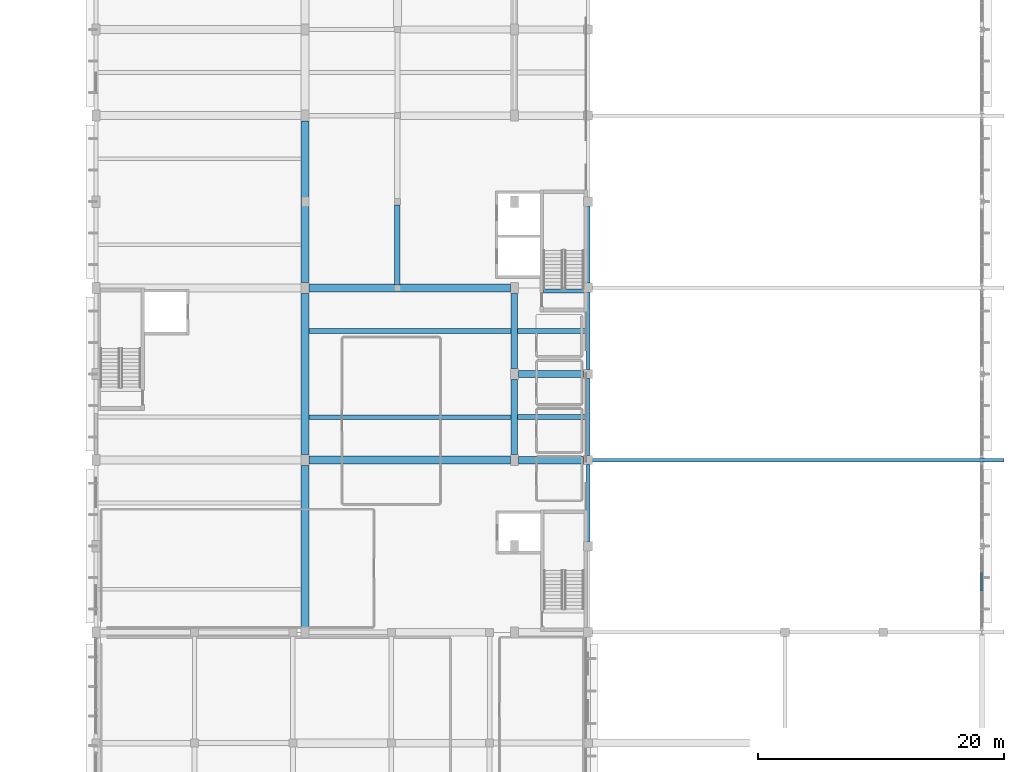
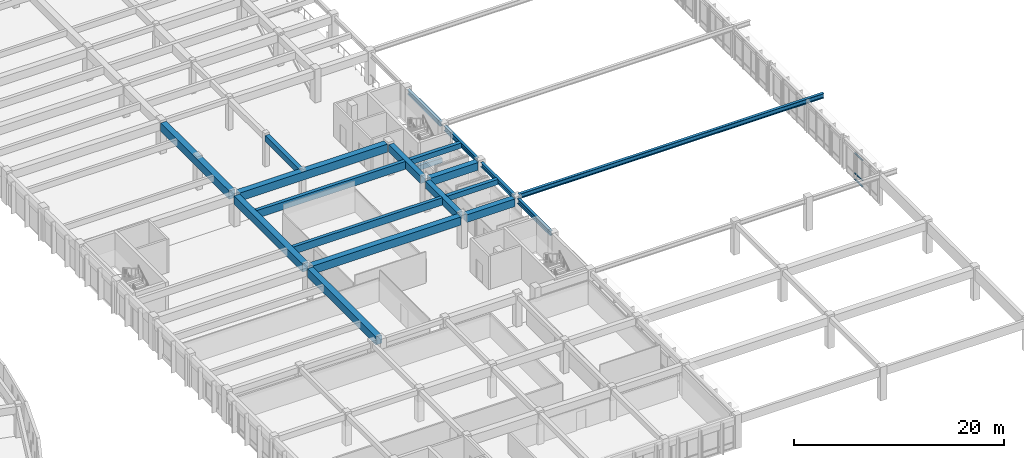
# One storey, part 30 of 98: 20 beams, 3 members, 1 element without a shape of its own.
"""IFC4 building model written with IfcOpenShell, lengths in metres."""

from ifc_helpers import new_model, si_unit, direction, frame, origin, origin_2d, place, context, subcontext, project, spatial, rectangle, i_section, extrude, material, material_profile, profile_set, type_object, element, aggregate, save


model = new_model("IFC4")

# Units and contexts
model_context = context("Model", 3, precision=1e-05, world=origin(), true_north=direction((0.0, 1.0)))
body_context = subcontext(model_context, "Body", "Model", "MODEL_VIEW")
ifc_project = project(units=[si_unit("LENGTHUNIT", "METRE"), si_unit("AREAUNIT", "SQUARE_METRE"), si_unit("VOLUMEUNIT", "CUBIC_METRE"), si_unit("PLANEANGLEUNIT", "RADIAN"), si_unit("MASSUNIT", "GRAM", prefix="KILO")], contexts=[model_context])

# Site, building, storey
site_placement = place(None, origin())
site = spatial("IfcSite", under=ifc_project, at=site_placement, CompositionType="ELEMENT")
building_placement = place(site_placement, origin())
building = spatial("IfcBuilding", under=site, at=building_placement, Name="Larkveld Mobility Hub", CompositionType="ELEMENT")
storey_placement = place(building_placement, frame((0.0, 0.0, 4.5)))
storey = spatial("IfcBuildingStorey", under=building, at=storey_placement, Name="L01", CompositionType="ELEMENT", Elevation=4.5)

# Beams
ifc_material_1 = material(Name="Precast concrete C50/60", Category="concrete")
ifc_material_profile_1 = material_profile(ifc_material_1, rectangle(XDim=0.360107421875, YDim=0.85009765625, at=origin_2d()), Name="PC DT 360x850")
ifc_profile_set_1 = profile_set([ifc_material_profile_1], Name="Precast concrete C50/60")
beam_type_1 = type_object("IfcBeamType", Name="BM-DT3685", PredefinedType="T_BEAM", material=ifc_profile_set_1)
beam_1_placement = place(storey_placement, frame((129.320068359375, 45.5, 3.2451171875), z_axis=(1.0, 0.0, 0.0), x_axis=(0.0, 1.0, 0.0)))
element("IfcBeam", 1, at=beam_1_placement, inside=storey, type_object=beam_type_1, Name="Precast Double-Tee Stem L01-1052", PredefinedType="T_BEAM", context=body_context, shape_type="SweptSolid", body=[
    extrude(rectangle(XDim=0.360107421875, YDim=0.85009765625, at=origin_2d()), origin(), (0.0, 0.0, 1.0), 16.409912109375),
])
ifc_material_profile_2 = material_profile(ifc_material_1, rectangle(XDim=0.3798828125, YDim=0.89990234375, at=origin_2d()), Name="PC DT 380x900")
ifc_profile_set_2 = profile_set([ifc_material_profile_2], Name="Precast concrete C50/60")
beam_type_2 = type_object("IfcBeamType", Name="BM-DT3890", PredefinedType="T_BEAM", material=ifc_profile_set_2)
beam_2_placement = place(storey_placement, frame((129.320068359375, 52.5, 3.219970703125), z_axis=(1.0, 0.0, 0.0), x_axis=(0.0, 1.0, 0.0)))
element("IfcBeam", 2, at=beam_2_placement, inside=storey, type_object=beam_type_2, Name="Precast Double-Tee Stem L01-1054", PredefinedType="T_BEAM", context=body_context, shape_type="SweptSolid", body=[
    extrude(rectangle(XDim=0.3798828125, YDim=0.89990234375, at=origin_2d()), origin(), (0.0, 0.0, 1.0), 16.409912109375),
])
ifc_material_profile_3 = material_profile(ifc_material_1, rectangle(XDim=0.64990234375, YDim=0.949951171875, at=origin_2d()), Name="PC ITB 650x950")
ifc_profile_set_3 = profile_set([ifc_material_profile_3], Name="Precast concrete C50/60")
beam_type_3 = type_object("IfcBeamType", Name="BM-ITB6595", PredefinedType="T_BEAM", material=ifc_profile_set_3)
for number, where, z_axis, x_axis, name in (
    (3, (129.324951171875, 42.0, 3.18505859375), (1.0, 0.0, 0.0), (0.0, 1.0, 0.0), "Primary E-W Girder L01-0269"),
    (4, (129.324951171875, 56.0, 3.18505859375), (1.0, 0.0, 0.0), (0.0, 1.0, 0.0), "Primary E-W Girder L01-0273"),
):
    element("IfcBeam", number, at=place(storey_placement, frame(where, z_axis=z_axis, x_axis=x_axis)), inside=storey, type_object=beam_type_3, Name=name, PredefinedType="T_BEAM", context=body_context, shape_type="SweptSolid", body=[
        extrude(rectangle(XDim=0.64990234375, YDim=0.949951171875, at=origin_2d()), origin(), (0.0, 0.0, 1.0), 16.35009765625),
    ])
for number, where, z_axis, x_axis, name in (
    (5, (129.0, 28.449951171875, 3.18505859375), (0.0, 1.0, 0.0), (-1.0, 0.0, 0.0), "Primary N-S Girder L01-0417"),
    (6, (129.0, 42.449951171875, 3.18505859375), (0.0, 1.0, 0.0), (-1.0, 0.0, 0.0), "Primary N-S Girder L01-0418"),
    (7, (129.0, 56.449951171875, 3.18505859375), (0.0, 1.0, 0.0), (-1.0, 0.0, 0.0), "Primary N-S Girder L01-0419"),
):
    element("IfcBeam", number, at=place(storey_placement, frame(where, z_axis=z_axis, x_axis=x_axis)), inside=storey, type_object=beam_type_3, Name=name, PredefinedType="T_BEAM", context=body_context, shape_type="SweptSolid", body=[
        extrude(rectangle(XDim=0.64990234375, YDim=0.949951171875, at=origin_2d()), origin(), (0.0, 0.0, 1.0), 13.10009765625),
    ])
ifc_material_2 = material(Name="Concrete C40/50", Category="concrete")
ifc_material_profile_4 = material_profile(ifc_material_2, rectangle(XDim=0.35009765625, YDim=0.550048828125, at=origin_2d()), Name="RC BM 350x550")
ifc_profile_set_4 = profile_set([ifc_material_profile_4], Name="Concrete C40/50")
beam_type_4 = type_object("IfcBeamType", Name="BM-RC3555", PredefinedType="BEAM", material=ifc_profile_set_4)
beam_3_placement = place(storey_placement, frame((148.360107421875, 55.75, -0.27001953125), z_axis=(1.0, 0.0, 0.0), x_axis=(0.0, 1.0, 0.0)))
element("IfcBeam", 8, at=beam_3_placement, inside=storey, type_object=beam_type_4, Name="Core C2 Stair Header Beam L01", PredefinedType="BEAM", context=body_context, shape_type="SweptSolid", body=[
    extrude(rectangle(XDim=0.35009765625, YDim=0.550048828125, at=origin_2d()), origin(), (0.0, 0.0, 1.0), 3.309814453125),
])
ifc_material_profile_5 = material_profile(ifc_material_2, rectangle(XDim=0.39990234375, YDim=0.60009765625, at=origin_2d()), Name="RC BM 400x600")
ifc_profile_set_5 = profile_set([ifc_material_profile_5], Name="Concrete C40/50")
beam_type_5 = type_object("IfcBeamType", Name="BM-RC4060", PredefinedType="BEAM", material=ifc_profile_set_5)
for number, where, z_axis, x_axis, name in (
    (9, (146.27001953125, 45.5, 3.3701171875), (1.0, 0.0, 0.0), (0.0, 1.0, 0.0), "Concourse Spine Joist L01-1053"),
    (10, (146.27001953125, 52.5, 3.3701171875), (1.0, 0.0, 0.0), (0.0, 1.0, 0.0), "Concourse Spine Joist L01-1055"),
):
    element("IfcBeam", number, at=place(storey_placement, frame(where, z_axis=z_axis, x_axis=x_axis)), inside=storey, type_object=beam_type_5, Name=name, PredefinedType="BEAM", context=body_context, shape_type="SweptSolid", body=[
        extrude(rectangle(XDim=0.39990234375, YDim=0.60009765625, at=origin_2d()), origin(), (0.0, 0.0, 1.0), 5.5849609375),
    ])
ifc_material_profile_6 = material_profile(ifc_material_2, rectangle(XDim=0.449951171875, YDim=0.699951171875, at=origin_2d()), Name="RC BM 450x700")
ifc_profile_set_6 = profile_set([ifc_material_profile_6], Name="Concrete C40/50")
beam_type_6 = type_object("IfcBeamType", Name="BM-RC4570", PredefinedType="BEAM", material=ifc_profile_set_6)
beam_4_placement = place(storey_placement, frame((136.5, 56.25, 3.31005859375), z_axis=(0.0, 1.0, 0.0), x_axis=(-1.0, 0.0, 0.0)))
element("IfcBeam", 11, at=beam_4_placement, inside=storey, type_object=beam_type_6, Name="Ramp Edge Girder L01-0483", PredefinedType="BEAM", context=body_context, shape_type="SweptSolid", body=[
    extrude(rectangle(XDim=0.449951171875, YDim=0.699951171875, at=origin_2d()), origin(), (0.0, 0.0, 1.0), 6.5),
])
ifc_material_profile_7 = material_profile(ifc_material_2, rectangle(XDim=0.550048828125, YDim=0.85009765625, at=origin_2d()), Name="RC BM 550x850")
ifc_profile_set_7 = profile_set([ifc_material_profile_7], Name="Concrete C40/50")
beam_type_7 = type_object("IfcBeamType", Name="BM-RC5585", PredefinedType="BEAM", material=ifc_profile_set_7)
for number, where, z_axis, x_axis, name in (
    (12, (146.0, 42.449951171875, 3.235107421875), (0.0, 1.0, 0.0), (-1.0, 0.0, 0.0), "Primary N-S Girder L01-0437"),
    (13, (146.0, 49.449951171875, 3.235107421875), (0.0, 1.0, 0.0), (-1.0, 0.0, 0.0), "Primary N-S Girder L01-0438"),
):
    element("IfcBeam", number, at=place(storey_placement, frame(where, z_axis=z_axis, x_axis=x_axis)), inside=storey, type_object=beam_type_7, Name=name, PredefinedType="BEAM", context=body_context, shape_type="SweptSolid", body=[
        extrude(rectangle(XDim=0.550048828125, YDim=0.85009765625, at=origin_2d()), origin(), (0.0, 0.0, 1.0), 6.10009765625),
    ])
ifc_material_profile_8 = material_profile(ifc_material_2, rectangle(XDim=0.60009765625, YDim=0.89990234375, at=origin_2d()), Name="RC BM 600x900")
ifc_profile_set_8 = profile_set([ifc_material_profile_8], Name="Concrete C40/50")
beam_type_8 = type_object("IfcBeamType", Name="BM-RC6090", PredefinedType="BEAM", material=ifc_profile_set_8)
for number, where, z_axis, x_axis, name in (
    (14, (146.324951171875, 42.0, 3.2099609375), (1.0, 0.0, 0.0), (0.0, 1.0, 0.0), "Primary E-W Girder L01-0270"),
    (15, (146.324951171875, 49.0, 3.2099609375), (1.0, 0.0, 0.0), (0.0, 1.0, 0.0), "Primary E-W Girder L01-0271"),
):
    element("IfcBeam", number, at=place(storey_placement, frame(where, z_axis=z_axis, x_axis=x_axis)), inside=storey, type_object=beam_type_8, Name=name, PredefinedType="BEAM", context=body_context, shape_type="SweptSolid", body=[
        extrude(rectangle(XDim=0.60009765625, YDim=0.89990234375, at=origin_2d()), origin(), (0.0, 0.0, 1.0), 5.300048828125),
    ])
ifc_material_3 = material(Name="Steel S355JR", Category="steel")
ifc_material_profile_9 = material_profile(ifc_material_3, i_section(OverallWidth=0.300048828125, OverallDepth=0.550048828125, WebThickness=0.014892578125, FlangeThickness=0.029052734375, FilletRadius=0.027099609375, at=origin_2d()), Name="HEB 550")
ifc_profile_set_9 = profile_set([ifc_material_profile_9], Name="Steel S355JR")
beam_type_9 = type_object("IfcBeamType", Name="BM-STHEB550", PredefinedType="BEAM", material=ifc_profile_set_9)
for number, where, z_axis, x_axis, name in (
    (16, (152.0, 35.375, 3.385009765625), (0.0, 1.0, 0.0), (-1.0, 0.0, 0.0), "Primary N-S Girder L01-0451"),
    (17, (152.0, 42.375, 3.385009765625), (0.0, 1.0, 0.0), (-1.0, 0.0, 0.0), "Primary N-S Girder L01-0452"),
    (18, (152.0, 49.375, 3.385009765625), (0.0, 1.0, 0.0), (-1.0, 0.0, 0.0), "Primary N-S Girder L01-0453"),
    (19, (152.0, 56.375, 3.385009765625), (0.0, 1.0, 0.0), (-1.0, 0.0, 0.0), "Primary N-S Girder L01-0454"),
):
    element("IfcBeam", number, at=place(storey_placement, frame(where, z_axis=z_axis, x_axis=x_axis)), inside=storey, type_object=beam_type_9, Name=name, PredefinedType="BEAM", context=body_context, shape_type="SweptSolid", body=[
        extrude(i_section(OverallWidth=0.300048828125, OverallDepth=0.550048828125, WebThickness=0.014892578125, FlangeThickness=0.029052734375, FilletRadius=0.027099609375, at=origin_2d()), origin(), (0.0, 0.0, 1.0), 6.25),
    ])
beam_5_placement = place(storey_placement, frame((152.18994140625, 42.0, 3.625), z_axis=(1.0, 0.0, 0.0), x_axis=(0.0, 1.0, 0.0)))
element("IfcBeam", 20, at=beam_5_placement, inside=storey, type_object=beam_type_9, Name="Sawtooth Valley Tie Girder T2 L01-1737", PredefinedType="BEAM", context=body_context, shape_type="SweptSolid", body=[
    extrude(i_section(OverallWidth=0.300048828125, OverallDepth=0.550048828125, WebThickness=0.014892578125, FlangeThickness=0.029052734375, FilletRadius=0.027099609375, at=origin_2d()), origin(), (0.0, 0.0, 1.0), 33.610107421875),
])

# Curtain wall, members
ifc_material_4 = material(Name="Anodised aluminium 6063-T6", Category="aluminium")
curtain_wall_type = type_object("IfcCurtainWallType", Name="CW-SYS-02", PredefinedType="NOTDEFINED", material=ifc_material_4)
curtain_wall_placement = place(storey_placement, origin())
curtain_wall = element("IfcCurtainWall", 21, at=curtain_wall_placement, inside=storey, type_object=curtain_wall_type, Name="Bus Hall Upper East Glazing B1 CW-050", PredefinedType="NOTDEFINED")
ifc_material_profile_10 = material_profile(ifc_material_4, rectangle(XDim=0.14990234375, YDim=0.050048828125, at=origin_2d()), Name="ALU TRAN 50x150")
ifc_profile_set_10 = profile_set([ifc_material_profile_10], Name="Anodised aluminium 6063-T6")
member_type = type_object("IfcMemberType", Name="CW-TRN-02", PredefinedType="USERDEFINED", material=ifc_profile_set_10)
member_1_placement = place(storey_placement, frame((184.0, 31.376953125, 0.030029296875), z_axis=(0.0, 1.0, 0.0), x_axis=(-1.0, 0.0, 0.0)))
member_1 = element("IfcMember", 22, at=member_1_placement, type_object=member_type, Name="CW02 transom 3.1", ObjectType="TRANSOM", PredefinedType="USERDEFINED", context=body_context, shape_type="SweptSolid", body=[
    extrude(rectangle(XDim=0.14990234375, YDim=0.050048828125, at=origin_2d()), origin(), (0.0, 0.0, 1.0), 1.47607421875),
])
member_2_placement = place(storey_placement, frame((184.0, 31.376953125, 0.75), z_axis=(0.0, 1.0, 0.0), x_axis=(-1.0, 0.0, 0.0)))
member_2 = element("IfcMember", 23, at=member_2_placement, type_object=member_type, Name="CW02 transom 3.2", ObjectType="TRANSOM", PredefinedType="USERDEFINED", context=body_context, shape_type="SweptSolid", body=[
    extrude(rectangle(XDim=0.14990234375, YDim=0.050048828125, at=origin_2d()), origin(), (0.0, 0.0, 1.0), 1.47607421875),
])
member_3_placement = place(storey_placement, frame((184.0, 31.376953125, 3.077880859375), z_axis=(0.0, 1.0, 0.0), x_axis=(-1.0, 0.0, 0.0)))
member_3 = element("IfcMember", 24, at=member_3_placement, type_object=member_type, Name="CW02 transom 3.3", ObjectType="TRANSOM", PredefinedType="USERDEFINED", context=body_context, shape_type="SweptSolid", body=[
    extrude(rectangle(XDim=0.14990234375, YDim=0.050048828125, at=origin_2d()), origin(), (0.0, 0.0, 1.0), 1.47607421875),
])
aggregate(curtain_wall, [member_1, member_2, member_3])

save(model, "model.ifc")
